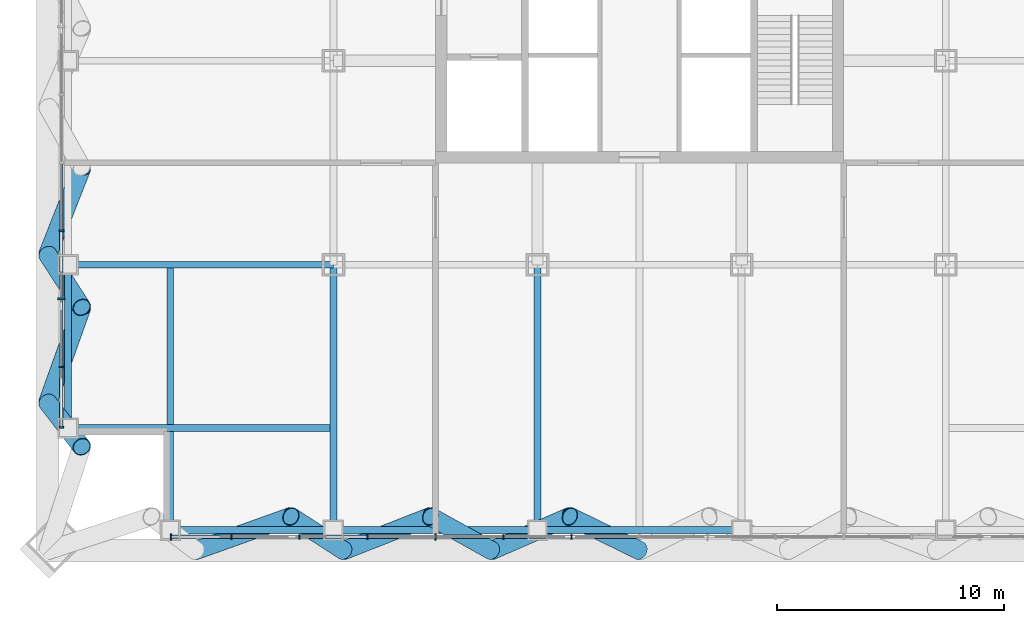
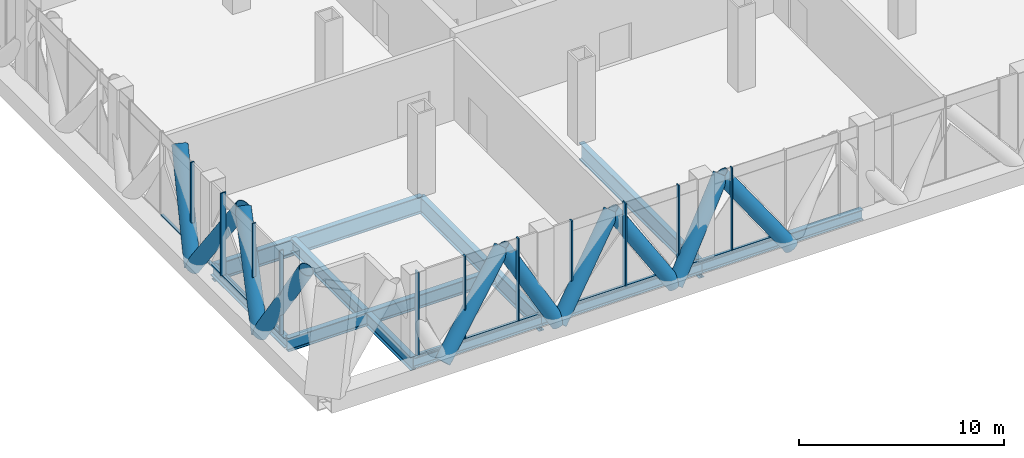
# One storey, part 2 of 26: 32 members, 9 beams, 2 elements without a shape of their own.
"""IFC4 building model written with IfcOpenShell, lengths in metres."""

from ifc_helpers import new_model, si_unit, direction, frame, origin, origin_2d, place, context, subcontext, project, spatial, rectangle, hollow_circle, i_section, extrude, material, layer, layer_set, material_profile, profile_set, type_object, element, aggregate, save


model = new_model("IFC4")

# Units and contexts
model_context = context("Model", 3, precision=1e-05, world=origin(), true_north=direction((0.0, 1.0)))
body_context = subcontext(model_context, "Body", "Model", "MODEL_VIEW")
ifc_project = project(units=[si_unit("LENGTHUNIT", "METRE"), si_unit("AREAUNIT", "SQUARE_METRE"), si_unit("VOLUMEUNIT", "CUBIC_METRE"), si_unit("PLANEANGLEUNIT", "RADIAN"), si_unit("MASSUNIT", "GRAM", prefix="KILO")], contexts=[model_context])

# Site, building, storey
site_placement = place(None, origin())
site = spatial("IfcSite", under=ifc_project, at=site_placement, CompositionType="ELEMENT")
building_placement = place(site_placement, origin())
building = spatial("IfcBuilding", under=site, at=building_placement, Name="Malebo Sky Hospital", CompositionType="ELEMENT")
storey_placement = place(building_placement, frame((0.0, 0.0, 95.0)))
storey = spatial("IfcBuildingStorey", under=building, at=storey_placement, Name="L22", CompositionType="ELEMENT", Elevation=95.0)

# Curtain wall, members
ifc_material_1 = material(Name="Anodised aluminium, natural silver", Category="aluminium")
ifc_layer = layer(ifc_material_1, 0.25)
ifc_layer_set = layer_set([ifc_layer], Name="PLANT LOUVRE SCREEN")
curtain_wall_type = type_object("IfcCurtainWallType", Name="PLANT LOUVRE SCREEN", PredefinedType="NOTDEFINED", material=ifc_layer_set)
curtain_wall_1_placement = place(storey_placement, origin())
curtain_wall_1 = element("IfcCurtainWall", 1, at=curtain_wall_1_placement, inside=storey, type_object=curtain_wall_type, Name="PLANT curtain wall W", PredefinedType="NOTDEFINED")
ifc_material_profile_1 = material_profile(ifc_material_1, rectangle(XDim=0.14990234375, YDim=0.10009765625, at=origin_2d()), Name="ALUMINIUM TRANSOM 150x100")
ifc_profile_set_1 = profile_set([ifc_material_profile_1], Name="Anodised aluminium, natural silver")
member_type_1 = type_object("IfcMemberType", Name="ALUMINIUM TRANSOM 150x100", PredefinedType="USERDEFINED", material=ifc_profile_set_1)
member_1_placement = place(storey_placement, frame((34.5, 41.375, 0.050048828125), z_axis=(0.0, 1.0, 0.0), x_axis=(-1.0, 0.0, 0.0)))
member_1 = element("IfcMember", 2, at=member_1_placement, type_object=member_type_1, Name="Transom 1", ObjectType="TRANSOM", PredefinedType="USERDEFINED", context=body_context, shape_type="SweptSolid", body=[
    extrude(rectangle(XDim=0.14990234375, YDim=0.10009765625, at=origin_2d()), origin(), (0.0, 0.0, 1.0), 2.58740234375),
])
member_2_placement = place(storey_placement, frame((34.5, 44.03759765625, 0.050048828125), z_axis=(0.0, 1.0, 0.0), x_axis=(-1.0, 0.0, 0.0)))
member_2 = element("IfcMember", 3, at=member_2_placement, type_object=member_type_1, Name="Transom 2", ObjectType="TRANSOM", PredefinedType="USERDEFINED", context=body_context, shape_type="SweptSolid", body=[
    extrude(rectangle(XDim=0.14990234375, YDim=0.10009765625, at=origin_2d()), origin(), (0.0, 0.0, 1.0), 2.9248046875),
])
member_3_placement = place(storey_placement, frame((34.5, 47.03759765625, 0.050048828125), z_axis=(0.0, 1.0, 0.0), x_axis=(-1.0, 0.0, 0.0)))
member_3 = element("IfcMember", 4, at=member_3_placement, type_object=member_type_1, Name="Transom 3", ObjectType="TRANSOM", PredefinedType="USERDEFINED", context=body_context, shape_type="SweptSolid", body=[
    extrude(rectangle(XDim=0.14990234375, YDim=0.10009765625, at=origin_2d()), origin(), (0.0, 0.0, 1.0), 2.9248046875),
])
member_4_placement = place(storey_placement, frame((34.5, 50.03759765625, 0.050048828125), z_axis=(0.0, 1.0, 0.0), x_axis=(-1.0, 0.0, 0.0)))
member_4 = element("IfcMember", 5, at=member_4_placement, type_object=member_type_1, Name="Transom 4", ObjectType="TRANSOM", PredefinedType="USERDEFINED", context=body_context, shape_type="SweptSolid", body=[
    extrude(rectangle(XDim=0.14990234375, YDim=0.10009765625, at=origin_2d()), origin(), (0.0, 0.0, 1.0), 2.9248046875),
])

curtain_wall_2_placement = place(storey_placement, origin())
curtain_wall_2 = element("IfcCurtainWall", 6, at=curtain_wall_2_placement, inside=storey, type_object=curtain_wall_type, Name="PLANT curtain wall S", PredefinedType="NOTDEFINED")
member_5_placement = place(storey_placement, frame((59.96240234375, 36.5, 0.050048828125), z_axis=(-1.0, 0.0, 0.0), x_axis=(0.0, -1.0, 0.0)))
member_5 = element("IfcMember", 7, at=member_5_placement, type_object=member_type_1, Name="Transom 8", ObjectType="TRANSOM", PredefinedType="USERDEFINED", context=body_context, shape_type="SweptSolid", body=[
    extrude(rectangle(XDim=0.14990234375, YDim=0.10009765625, at=origin_2d()), origin(), (0.0, 0.0, 1.0), 2.9248046875),
])
member_6_placement = place(storey_placement, frame((56.96240234375, 36.5, 0.050048828125), z_axis=(-1.0, 0.0, 0.0), x_axis=(0.0, -1.0, 0.0)))
member_6 = element("IfcMember", 8, at=member_6_placement, type_object=member_type_1, Name="Transom 9", ObjectType="TRANSOM", PredefinedType="USERDEFINED", context=body_context, shape_type="SweptSolid", body=[
    extrude(rectangle(XDim=0.14990234375, YDim=0.10009765625, at=origin_2d()), origin(), (0.0, 0.0, 1.0), 2.9248046875),
])
member_7_placement = place(storey_placement, frame((53.96240234375, 36.5, 0.050048828125), z_axis=(-1.0, 0.0, 0.0), x_axis=(0.0, -1.0, 0.0)))
member_7 = element("IfcMember", 9, at=member_7_placement, type_object=member_type_1, Name="Transom 10", ObjectType="TRANSOM", PredefinedType="USERDEFINED", context=body_context, shape_type="SweptSolid", body=[
    extrude(rectangle(XDim=0.14990234375, YDim=0.10009765625, at=origin_2d()), origin(), (0.0, 0.0, 1.0), 2.9248046875),
])
member_8_placement = place(storey_placement, frame((50.96240234375, 36.5, 0.050048828125), z_axis=(-1.0, 0.0, 0.0), x_axis=(0.0, -1.0, 0.0)))
member_8 = element("IfcMember", 10, at=member_8_placement, type_object=member_type_1, Name="Transom 11", ObjectType="TRANSOM", PredefinedType="USERDEFINED", context=body_context, shape_type="SweptSolid", body=[
    extrude(rectangle(XDim=0.14990234375, YDim=0.10009765625, at=origin_2d()), origin(), (0.0, 0.0, 1.0), 2.9248046875),
])
member_9_placement = place(storey_placement, frame((47.96240234375, 36.5, 0.050048828125), z_axis=(-1.0, 0.0, 0.0), x_axis=(0.0, -1.0, 0.0)))
member_9 = element("IfcMember", 11, at=member_9_placement, type_object=member_type_1, Name="Transom 12", ObjectType="TRANSOM", PredefinedType="USERDEFINED", context=body_context, shape_type="SweptSolid", body=[
    extrude(rectangle(XDim=0.14990234375, YDim=0.10009765625, at=origin_2d()), origin(), (0.0, 0.0, 1.0), 2.9248046875),
])
member_10_placement = place(storey_placement, frame((44.96240234375, 36.5, 0.050048828125), z_axis=(-1.0, 0.0, 0.0), x_axis=(0.0, -1.0, 0.0)))
member_10 = element("IfcMember", 12, at=member_10_placement, type_object=member_type_1, Name="Transom 13", ObjectType="TRANSOM", PredefinedType="USERDEFINED", context=body_context, shape_type="SweptSolid", body=[
    extrude(rectangle(XDim=0.14990234375, YDim=0.10009765625, at=origin_2d()), origin(), (0.0, 0.0, 1.0), 2.9248046875),
])
member_11_placement = place(storey_placement, frame((41.96240234375, 36.5, 0.050048828125), z_axis=(-1.0, 0.0, 0.0), x_axis=(0.0, -1.0, 0.0)))
member_11 = element("IfcMember", 13, at=member_11_placement, type_object=member_type_1, Name="Transom 14", ObjectType="TRANSOM", PredefinedType="USERDEFINED", context=body_context, shape_type="SweptSolid", body=[
    extrude(rectangle(XDim=0.14990234375, YDim=0.10009765625, at=origin_2d()), origin(), (0.0, 0.0, 1.0), 2.58740234375),
])

# Members
ifc_material_2 = material(Name="Steel S460", Category="steel")
ifc_material_profile_2 = material_profile(ifc_material_2, hollow_circle(Radius=0.406494140625, WallThickness=0.030029296875, at=origin_2d()), Name="CHS 813x30")
ifc_profile_set_2 = profile_set([ifc_material_profile_2], Name="Steel S460")
member_type_2 = type_object("IfcMemberType", Name="BELT TRUSS DIAGONAL CHS 813x30", PredefinedType="BRACE", material=ifc_profile_set_2)
member_12_placement = place(storey_placement, frame((40.425048828125, 35.89990234375, -0.39990234375), z_axis=(0.666645015044, 0.238090273349, 0.706326727269), x_axis=(-0.336339864867, 0.941740673063, 0.0)))
element("IfcMember", 14, at=member_12_placement, inside=storey, type_object=member_type_2, Name="Belt truss diagonal S2.1 L22", PredefinedType="BRACE", context=body_context, shape_type="SweptSolid", body=[
    extrude(hollow_circle(Radius=0.406494140625, WallThickness=0.030029296875, at=origin_2d()), origin(), (0.0, 0.0, 1.0), 6.300048828125),
])
member_13_placement = place(storey_placement, frame((44.625, 37.39990234375, 4.050048828125), z_axis=(0.443694075542, -0.286260254135, -0.849229435566), x_axis=(0.542134909125, 0.840291461523, 0.0)))
element("IfcMember", 15, at=member_13_placement, inside=storey, type_object=member_type_2, Name="Belt truss diagonal S2.2 L22", PredefinedType="BRACE", context=body_context, shape_type="SweptSolid", body=[
    extrude(hollow_circle(Radius=0.406494140625, WallThickness=0.030029296875, at=origin_2d()), origin(), (0.0, 0.0, 1.0), 5.239990234375),
])
member_14_placement = place(storey_placement, frame((46.949951171875, 35.89990234375, -0.39990234375), z_axis=(0.631535133578, 0.247663998258, 0.734728466186), x_axis=(-0.365091568196, 0.930971614408, 0.0)))
element("IfcMember", 16, at=member_14_placement, inside=storey, type_object=member_type_2, Name="Belt truss diagonal S3.1 L22", PredefinedType="BRACE", context=body_context, shape_type="SweptSolid", body=[
    extrude(hollow_circle(Radius=0.406494140625, WallThickness=0.030029296875, at=origin_2d()), origin(), (0.0, 0.0, 1.0), 6.056640625),
])
member_15_placement = place(storey_placement, frame((50.77490234375, 37.39990234375, 4.050048828125), z_axis=(0.498473451586, -0.276909664245, -0.821489656606), x_axis=(0.48561608749, 0.874172188743, 0.0)))
element("IfcMember", 17, at=member_15_placement, inside=storey, type_object=member_type_2, Name="Belt truss diagonal S3.2 L22", PredefinedType="BRACE", context=body_context, shape_type="SweptSolid", body=[
    extrude(hollow_circle(Radius=0.406494140625, WallThickness=0.030029296875, at=origin_2d()), origin(), (0.0, 0.0, 1.0), 5.4169921875),
])
member_16_placement = place(storey_placement, frame((53.47509765625, 35.89990234375, -0.39990234375), z_axis=(0.592060400775, 0.257421208857, 0.763674540013), x_axis=(-0.398730857498, 0.917067992724, 0.0)))
element("IfcMember", 18, at=member_16_placement, inside=storey, type_object=member_type_2, Name="Belt truss diagonal S4.1 L22", PredefinedType="BRACE", context=body_context, shape_type="SweptSolid", body=[
    extrude(hollow_circle(Radius=0.406494140625, WallThickness=0.030029296875, at=origin_2d()), origin(), (0.0, 0.0, 1.0), 5.826904296875),
])
member_17_placement = place(storey_placement, frame((56.925048828125, 37.39990234375, 4.050048828125), z_axis=(0.547812589262, -0.26722989666, -0.792773327867), x_axis=(0.438429255686, 0.898765702371, 0.0)))
element("IfcMember", 19, at=member_17_placement, inside=storey, type_object=member_type_2, Name="Belt truss diagonal S4.2 L22", PredefinedType="BRACE", context=body_context, shape_type="SweptSolid", body=[
    extrude(hollow_circle(Radius=0.406494140625, WallThickness=0.030029296875, at=origin_2d()), origin(), (0.0, 0.0, 1.0), 5.613037109375),
])
member_18_placement = place(storey_placement, frame((35.39990234375, 52.77490234375, 4.050048828125), z_axis=(-0.247663998258, -0.631535133578, -0.734728466186), x_axis=(0.930971614408, -0.365091568196, 0.0)))
element("IfcMember", 20, at=member_18_placement, inside=storey, type_object=member_type_2, Name="Belt truss diagonal W6.2 L22", PredefinedType="BRACE", context=body_context, shape_type="SweptSolid", body=[
    extrude(hollow_circle(Radius=0.406494140625, WallThickness=0.030029296875, at=origin_2d()), origin(), (0.0, 0.0, 1.0), 6.056640625),
])
member_19_placement = place(storey_placement, frame((33.89990234375, 48.949951171875, -0.39990234375), z_axis=(0.286260254135, -0.443694075542, 0.849229435566), x_axis=(0.840291461523, 0.542134909125, 0.0)))
element("IfcMember", 21, at=member_19_placement, inside=storey, type_object=member_type_2, Name="Belt truss diagonal W7.1 L22", PredefinedType="BRACE", context=body_context, shape_type="SweptSolid", body=[
    extrude(hollow_circle(Radius=0.406494140625, WallThickness=0.030029296875, at=origin_2d()), origin(), (0.0, 0.0, 1.0), 5.239990234375),
])
member_20_placement = place(storey_placement, frame((35.39990234375, 46.625, 4.050048828125), z_axis=(-0.238090273349, -0.666645015044, -0.706326727269), x_axis=(0.941740673063, -0.336339864867, 0.0)))
element("IfcMember", 22, at=member_20_placement, inside=storey, type_object=member_type_2, Name="Belt truss diagonal W7.2 L22", PredefinedType="BRACE", context=body_context, shape_type="SweptSolid", body=[
    extrude(hollow_circle(Radius=0.406494140625, WallThickness=0.030029296875, at=origin_2d()), origin(), (0.0, 0.0, 1.0), 6.300048828125),
])
member_21_placement = place(storey_placement, frame((33.89990234375, 42.425048828125, -0.39990234375), z_axis=(0.295001508786, -0.383492358509, 0.875161539819), x_axis=(0.792616610731, 0.609720352615, 0.0)))
element("IfcMember", 23, at=member_21_placement, inside=storey, type_object=member_type_2, Name="Belt truss diagonal W8.1 L22", PredefinedType="BRACE", context=body_context, shape_type="SweptSolid", body=[
    extrude(hollow_circle(Radius=0.406494140625, WallThickness=0.030029296875, at=origin_2d()), origin(), (0.0, 0.0, 1.0), 5.084716796875),
])

# Member
ifc_material_profile_3 = material_profile(ifc_material_1, rectangle(XDim=0.074951171875, YDim=0.199951171875, at=origin_2d()), Name="CW5 ALUMINIUM FIN MULLION 75x200")
ifc_profile_set_3 = profile_set([ifc_material_profile_3], Name="Anodised aluminium, natural silver")
member_type_3 = type_object("IfcMemberType", Name="CW5 ALUMINIUM FIN MULLION 75x200", PredefinedType="MULLION", material=ifc_profile_set_3)
member_22_placement = place(storey_placement, frame((34.5, 41.33740234375, 0.0), z_axis=(0.0, 0.0, 1.0), x_axis=(0.0, 1.0, 0.0)))
member_22 = element("IfcMember", 24, at=member_22_placement, type_object=member_type_3, Name="Fin mullion 1", PredefinedType="MULLION", context=body_context, shape_type="SweptSolid", body=[
    extrude(rectangle(XDim=0.074951171875, YDim=0.199951171875, at=origin_2d()), origin(), (0.0, 0.0, 1.0), 5.0),
])

member_23_placement = place(storey_placement, frame((34.5, 44.0, 0.0), z_axis=(0.0, 0.0, 1.0), x_axis=(0.0, 1.0, 0.0)))
member_23 = element("IfcMember", 25, at=member_23_placement, type_object=member_type_3, Name="Fin mullion 2", PredefinedType="MULLION", context=body_context, shape_type="SweptSolid", body=[
    extrude(rectangle(XDim=0.074951171875, YDim=0.199951171875, at=origin_2d()), origin(), (0.0, 0.0, 1.0), 5.0),
])

member_24_placement = place(storey_placement, frame((34.5, 50.0, 0.0), z_axis=(0.0, 0.0, 1.0), x_axis=(0.0, 1.0, 0.0)))
member_24 = element("IfcMember", 26, at=member_24_placement, type_object=member_type_3, Name="Fin mullion 4", PredefinedType="MULLION", context=body_context, shape_type="SweptSolid", body=[
    extrude(rectangle(XDim=0.074951171875, YDim=0.199951171875, at=origin_2d()), origin(), (0.0, 0.0, 1.0), 5.0),
])

member_25_placement = place(storey_placement, frame((57.0, 36.5, 0.0), z_axis=(0.0, 0.0, 1.0), x_axis=(-1.0, 0.0, 0.0)))
member_25 = element("IfcMember", 27, at=member_25_placement, type_object=member_type_3, Name="Fin mullion 9", PredefinedType="MULLION", context=body_context, shape_type="SweptSolid", body=[
    extrude(rectangle(XDim=0.074951171875, YDim=0.199951171875, at=origin_2d()), origin(), (0.0, 0.0, 1.0), 5.0),
])

member_26_placement = place(storey_placement, frame((54.0, 36.5, 0.0), z_axis=(0.0, 0.0, 1.0), x_axis=(-1.0, 0.0, 0.0)))
member_26 = element("IfcMember", 28, at=member_26_placement, type_object=member_type_3, Name="Fin mullion 10", PredefinedType="MULLION", context=body_context, shape_type="SweptSolid", body=[
    extrude(rectangle(XDim=0.074951171875, YDim=0.199951171875, at=origin_2d()), origin(), (0.0, 0.0, 1.0), 5.0),
])

member_27_placement = place(storey_placement, frame((48.0, 36.5, 0.0), z_axis=(0.0, 0.0, 1.0), x_axis=(-1.0, 0.0, 0.0)))
member_27 = element("IfcMember", 29, at=member_27_placement, type_object=member_type_3, Name="Fin mullion 12", PredefinedType="MULLION", context=body_context, shape_type="SweptSolid", body=[
    extrude(rectangle(XDim=0.074951171875, YDim=0.199951171875, at=origin_2d()), origin(), (0.0, 0.0, 1.0), 5.0),
])

member_28_placement = place(storey_placement, frame((45.0, 36.5, 0.0), z_axis=(0.0, 0.0, 1.0), x_axis=(-1.0, 0.0, 0.0)))
member_28 = element("IfcMember", 30, at=member_28_placement, type_object=member_type_3, Name="Fin mullion 13", PredefinedType="MULLION", context=body_context, shape_type="SweptSolid", body=[
    extrude(rectangle(XDim=0.074951171875, YDim=0.199951171875, at=origin_2d()), origin(), (0.0, 0.0, 1.0), 5.0),
])

member_29_placement = place(storey_placement, frame((42.0, 36.5, 0.0), z_axis=(0.0, 0.0, 1.0), x_axis=(-1.0, 0.0, 0.0)))
member_29 = element("IfcMember", 31, at=member_29_placement, type_object=member_type_3, Name="Fin mullion 14", PredefinedType="MULLION", context=body_context, shape_type="SweptSolid", body=[
    extrude(rectangle(XDim=0.074951171875, YDim=0.199951171875, at=origin_2d()), origin(), (0.0, 0.0, 1.0), 5.0),
])

ifc_material_profile_4 = material_profile(ifc_material_1, rectangle(XDim=0.074951171875, YDim=0.300048828125, at=origin_2d()), Name="CW5 ALUMINIUM FIN MULLION 75x300")
ifc_profile_set_4 = profile_set([ifc_material_profile_4], Name="Anodised aluminium, natural silver")
member_type_4 = type_object("IfcMemberType", Name="CW5 ALUMINIUM FIN MULLION 75x300", PredefinedType="MULLION", material=ifc_profile_set_4)
member_30_placement = place(storey_placement, frame((34.5, 47.0, 0.0), z_axis=(0.0, 0.0, 1.0), x_axis=(0.0, 1.0, 0.0)))
member_30 = element("IfcMember", 32, at=member_30_placement, type_object=member_type_4, Name="Fin mullion 3", PredefinedType="MULLION", context=body_context, shape_type="SweptSolid", body=[
    extrude(rectangle(XDim=0.074951171875, YDim=0.300048828125, at=origin_2d()), origin(), (0.0, 0.0, 1.0), 5.0),
])

aggregate(curtain_wall_1, [member_22, member_23, member_30, member_24, member_1, member_2, member_3, member_4])

member_31_placement = place(storey_placement, frame((51.0, 36.5, 0.0), z_axis=(0.0, 0.0, 1.0), x_axis=(-1.0, 0.0, 0.0)))
member_31 = element("IfcMember", 33, at=member_31_placement, type_object=member_type_4, Name="Fin mullion 11", PredefinedType="MULLION", context=body_context, shape_type="SweptSolid", body=[
    extrude(rectangle(XDim=0.074951171875, YDim=0.300048828125, at=origin_2d()), origin(), (0.0, 0.0, 1.0), 5.0),
])

member_32_placement = place(storey_placement, frame((39.33740234375, 36.5, 0.0), z_axis=(0.0, 0.0, 1.0), x_axis=(-1.0, 0.0, 0.0)))
member_32 = element("IfcMember", 34, at=member_32_placement, type_object=member_type_4, Name="Fin mullion 15", PredefinedType="MULLION", context=body_context, shape_type="SweptSolid", body=[
    extrude(rectangle(XDim=0.074951171875, YDim=0.300048828125, at=origin_2d()), origin(), (0.0, 0.0, 1.0), 5.0),
])

aggregate(curtain_wall_2, [member_25, member_26, member_31, member_27, member_28, member_29, member_32, member_5, member_6, member_7, member_8, member_9, member_10, member_11])

# Beams
ifc_material_3 = material(Name="Steel S355", Category="steel")
ifc_material_profile_5 = material_profile(ifc_material_3, i_section(OverallWidth=0.304931640625, OverallDepth=0.6201171875, WebThickness=0.02099609375, FlangeThickness=0.0400390625, FilletRadius=0.027099609375, at=origin_2d()), Name="HEM 600")
ifc_profile_set_5 = profile_set([ifc_material_profile_5], Name="Steel S355")
beam_type_1 = type_object("IfcBeamType", Name="EDGE BEAM HEM 600", PredefinedType="BEAM", material=ifc_profile_set_5)
for number, where, z_axis, x_axis, name in (
    (35, (34.800048828125, 41.300048828125, -0.56005859375), (0.0, 1.0, 0.0), (-1.0, 0.0, 0.0), "Beam 000 L22"),
    (36, (39.300048828125, 36.800048828125, -0.56005859375), (1.0, 0.0, 0.0), (0.0, 1.0, 0.0), "Beam 034 L22"),
):
    element("IfcBeam", number, at=place(storey_placement, frame(where, z_axis=z_axis, x_axis=x_axis)), inside=storey, type_object=beam_type_1, Name=name, PredefinedType="BEAM", context=body_context, shape_type="SweptSolid", body=[
        extrude(i_section(OverallWidth=0.304931640625, OverallDepth=0.6201171875, WebThickness=0.02099609375, FlangeThickness=0.0400390625, FilletRadius=0.027099609375, at=origin_2d()), origin(), (0.0, 0.0, 1.0), 7.199951171875),
    ])
for number, where, z_axis, x_axis, name in (
    (37, (46.5, 36.800048828125, -0.56005859375), (1.0, 0.0, 0.0), (0.0, 1.0, 0.0), "Beam 035 L22"),
    (38, (55.5, 36.800048828125, -0.56005859375), (1.0, 0.0, 0.0), (0.0, 1.0, 0.0), "Beam 036 L22"),
):
    element("IfcBeam", number, at=place(storey_placement, frame(where, z_axis=z_axis, x_axis=x_axis)), inside=storey, type_object=beam_type_1, Name=name, PredefinedType="BEAM", context=body_context, shape_type="SweptSolid", body=[
        extrude(i_section(OverallWidth=0.304931640625, OverallDepth=0.6201171875, WebThickness=0.02099609375, FlangeThickness=0.0400390625, FilletRadius=0.027099609375, at=origin_2d()), origin(), (0.0, 0.0, 1.0), 9.0),
    ])
ifc_material_profile_6 = material_profile(ifc_material_3, i_section(OverallWidth=0.300048828125, OverallDepth=1.0, WebThickness=0.01904296875, FlangeThickness=0.035888671875, FilletRadius=0.030029296875, at=origin_2d()), Name="HEB 1000")
ifc_profile_set_6 = profile_set([ifc_material_profile_6], Name="Steel S355")
beam_type_2 = type_object("IfcBeamType", Name="FLOOR BEAM HEB 1000", PredefinedType="BEAM", material=ifc_profile_set_6)
beam_placement = place(storey_placement, frame((55.5, 36.800048828125, -0.75), z_axis=(0.0, 1.0, 0.0), x_axis=(-1.0, 0.0, 0.0)))
element("IfcBeam", 39, at=beam_placement, inside=storey, type_object=beam_type_2, Name="Beam 012 L22", PredefinedType="BEAM", context=body_context, shape_type="SweptSolid", body=[
    extrude(i_section(OverallWidth=0.300048828125, OverallDepth=1.0, WebThickness=0.01904296875, FlangeThickness=0.035888671875, FilletRadius=0.030029296875, at=origin_2d()), origin(), (0.0, 0.0, 1.0), 11.699951171875),
])
ifc_material_profile_7 = material_profile(ifc_material_3, i_section(OverallWidth=0.300048828125, OverallDepth=0.800048828125, WebThickness=0.017578125, FlangeThickness=0.032958984375, FilletRadius=0.030029296875, at=origin_2d()), Name="HEB 800")
ifc_profile_set_7 = profile_set([ifc_material_profile_7], Name="Steel S355")
beam_type_3 = type_object("IfcBeamType", Name="FLOOR BEAM HEB 800", PredefinedType="BEAM", material=ifc_profile_set_7)
for number, where, z_axis, x_axis, name in (
    (40, (39.300048828125, 36.800048828125, -0.64990234375), (0.0, 1.0, 0.0), (-1.0, 0.0, 0.0), "Beam 005 L22"),
    (41, (34.800048828125, 41.300048828125, -0.64990234375), (1.0, 0.0, 0.0), (0.0, 1.0, 0.0), "Beam 039 L22"),
):
    element("IfcBeam", number, at=place(storey_placement, frame(where, z_axis=z_axis, x_axis=x_axis)), inside=storey, type_object=beam_type_3, Name=name, PredefinedType="BEAM", context=body_context, shape_type="SweptSolid", body=[
        extrude(i_section(OverallWidth=0.300048828125, OverallDepth=0.800048828125, WebThickness=0.017578125, FlangeThickness=0.032958984375, FilletRadius=0.030029296875, at=origin_2d()), origin(), (0.0, 0.0, 1.0), 11.699951171875),
    ])
ifc_material_profile_8 = material_profile(ifc_material_3, i_section(OverallWidth=0.300048828125, OverallDepth=1.0, WebThickness=0.01904296875, FlangeThickness=0.035888671875, FilletRadius=0.030029296875, at=origin_2d()), Name="HEB 1000")
ifc_profile_set_8 = profile_set([ifc_material_profile_8], Name="Steel S355")
beam_type_4 = type_object("IfcBeamType", Name="FLOOR GIRDER HEB 1000", PredefinedType="BEAM", material=ifc_profile_set_8)
for number, where, z_axis, x_axis, name in (
    (42, (46.5, 36.800048828125, -0.75), (0.0, 1.0, 0.0), (-1.0, 0.0, 0.0), "Beam 007 L22"),
    (43, (34.800048828125, 48.5, -0.75), (1.0, 0.0, 0.0), (0.0, 1.0, 0.0), "Beam 041 L22"),
):
    element("IfcBeam", number, at=place(storey_placement, frame(where, z_axis=z_axis, x_axis=x_axis)), inside=storey, type_object=beam_type_4, Name=name, PredefinedType="BEAM", context=body_context, shape_type="SweptSolid", body=[
        extrude(i_section(OverallWidth=0.300048828125, OverallDepth=1.0, WebThickness=0.01904296875, FlangeThickness=0.035888671875, FilletRadius=0.030029296875, at=origin_2d()), origin(), (0.0, 0.0, 1.0), 11.699951171875),
    ])

save(model, "model.ifc")
